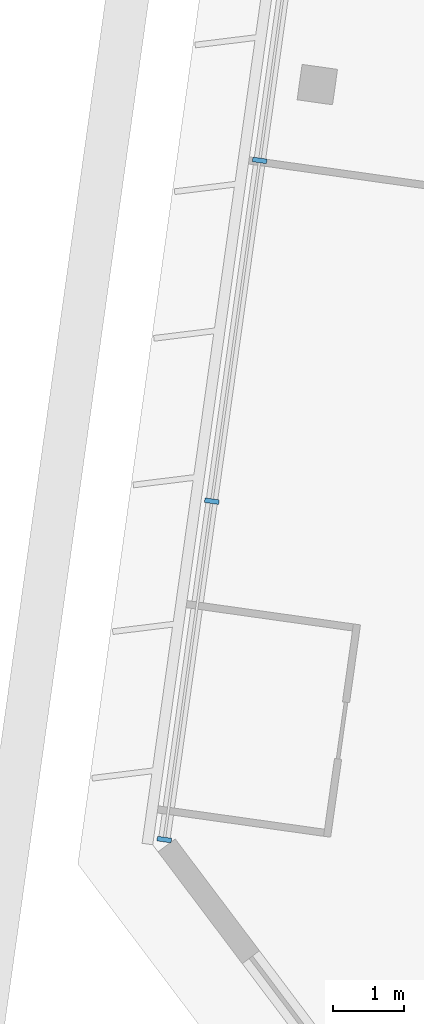
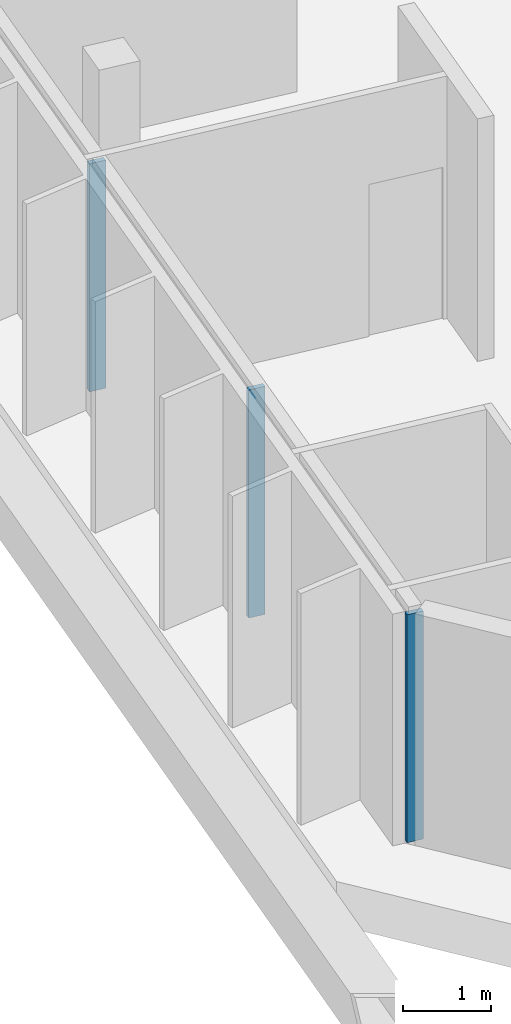
# One storey, part 2 of 26: 3 members, 1 element without a shape of its own.
"""IFC4 building model written with IfcOpenShell, lengths in metres."""

from ifc_helpers import new_model, si_unit, direction, frame, origin, origin_2d, place, context, subcontext, project, spatial, rectangle, extrude, material, material_profile, profile_set, type_object, element, aggregate, save


model = new_model("IFC4")

# Units and contexts
model_context = context("Model", 3, precision=1e-05, world=origin(), true_north=direction((0.0, 1.0)))
body_context = subcontext(model_context, "Body", "Model", "MODEL_VIEW")
ifc_project = project(units=[si_unit("LENGTHUNIT", "METRE"), si_unit("AREAUNIT", "SQUARE_METRE"), si_unit("VOLUMEUNIT", "CUBIC_METRE"), si_unit("PLANEANGLEUNIT", "RADIAN"), si_unit("MASSUNIT", "GRAM", prefix="KILO")], contexts=[model_context])

# Site, building, storey
site_placement = place(None, origin())
site = spatial("IfcSite", under=ifc_project, at=site_placement, CompositionType="ELEMENT")
building_placement = place(site_placement, origin())
building = spatial("IfcBuilding", under=site, at=building_placement, Name="Mirante Cascada Hotel Towers", CompositionType="ELEMENT")
storey_placement = place(building_placement, frame((0.0, 0.0, 216.6)))
storey = spatial("IfcBuildingStorey", under=building, at=storey_placement, Name="L51", CompositionType="ELEMENT", Elevation=216.6)

# Curtain wall, members
ifc_material_1 = material(Name="Aluminium mullion and transom frame with clear laminated glass", Category="aluminium")
curtain_wall_type = type_object("IfcCurtainWallType", Name="End ribbon curtain wall ECW2", PredefinedType="NOTDEFINED", material=ifc_material_1)
curtain_wall_placement = place(storey_placement, origin())
curtain_wall = element("IfcCurtainWall", 1, at=curtain_wall_placement, inside=storey, type_object=curtain_wall_type, Name="Outer end wall T1 L51", PredefinedType="NOTDEFINED")
ifc_material_2 = material(Name="Anodised aluminium extrusion", Category="aluminium")
ifc_material_profile = material_profile(ifc_material_2, rectangle(XDim=0.2, YDim=0.065, at=origin_2d()), Name="ECW2 MULLION 65x200")
ifc_profile_set = profile_set([ifc_material_profile], Name="Anodised aluminium extrusion")
member_type = type_object("IfcMemberType", Name="ECW2 mullion 65x200", PredefinedType="MULLION", material=ifc_profile_set)
member_1_placement = place(storey_placement, frame((-76.4184, -10.0233, 0.1), z_axis=(0.0, 0.0, 1.0), x_axis=(-0.9902681, 0.1391731, 0.0)))
member_1 = element("IfcMember", 2, at=member_1_placement, type_object=member_type, Name="ECW2 mullion 1", PredefinedType="MULLION", context=body_context, shape_type="SweptSolid", body=[
    extrude(rectangle(XDim=0.2, YDim=0.065, at=origin_2d()), origin(), (0.0, 0.0, 1.0), 3.15),
])
member_2_placement = place(storey_placement, frame((-75.7531, -5.2897, 0.1), z_axis=(0.0, 0.0, 1.0), x_axis=(-0.9902681, 0.1391731, 0.0)))
member_2 = element("IfcMember", 3, at=member_2_placement, type_object=member_type, Name="ECW2 mullion 2", PredefinedType="MULLION", context=body_context, shape_type="SweptSolid", body=[
    extrude(rectangle(XDim=0.2, YDim=0.065, at=origin_2d()), origin(), (0.0, 0.0, 1.0), 3.15),
])
member_3_placement = place(storey_placement, frame((-75.0833, -0.5239, 0.1), z_axis=(0.0, 0.0, 1.0), x_axis=(-0.9902681, 0.1391731, 0.0)))
member_3 = element("IfcMember", 4, at=member_3_placement, type_object=member_type, Name="ECW2 mullion 3", PredefinedType="MULLION", context=body_context, shape_type="SweptSolid", body=[
    extrude(rectangle(XDim=0.2, YDim=0.065, at=origin_2d()), origin(), (0.0, 0.0, 1.0), 3.15),
])
aggregate(curtain_wall, [member_1, member_2, member_3])

save(model, "model.ifc")
